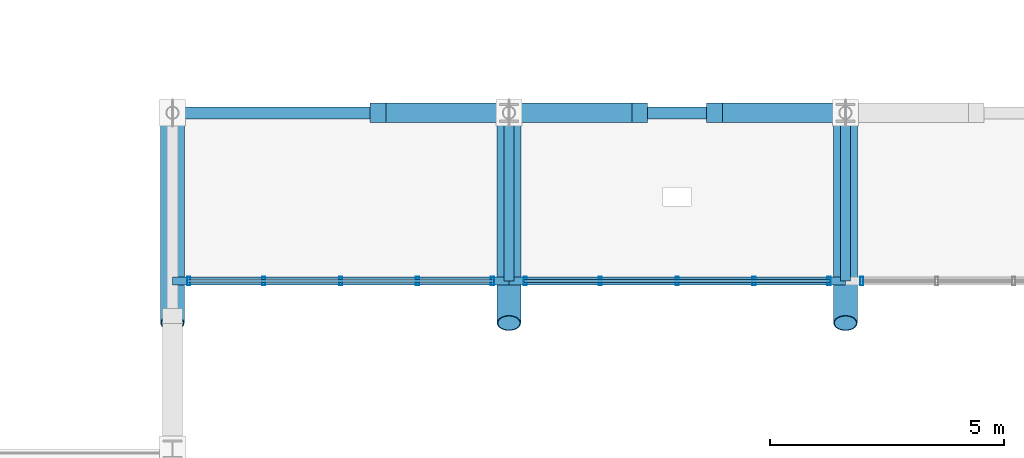
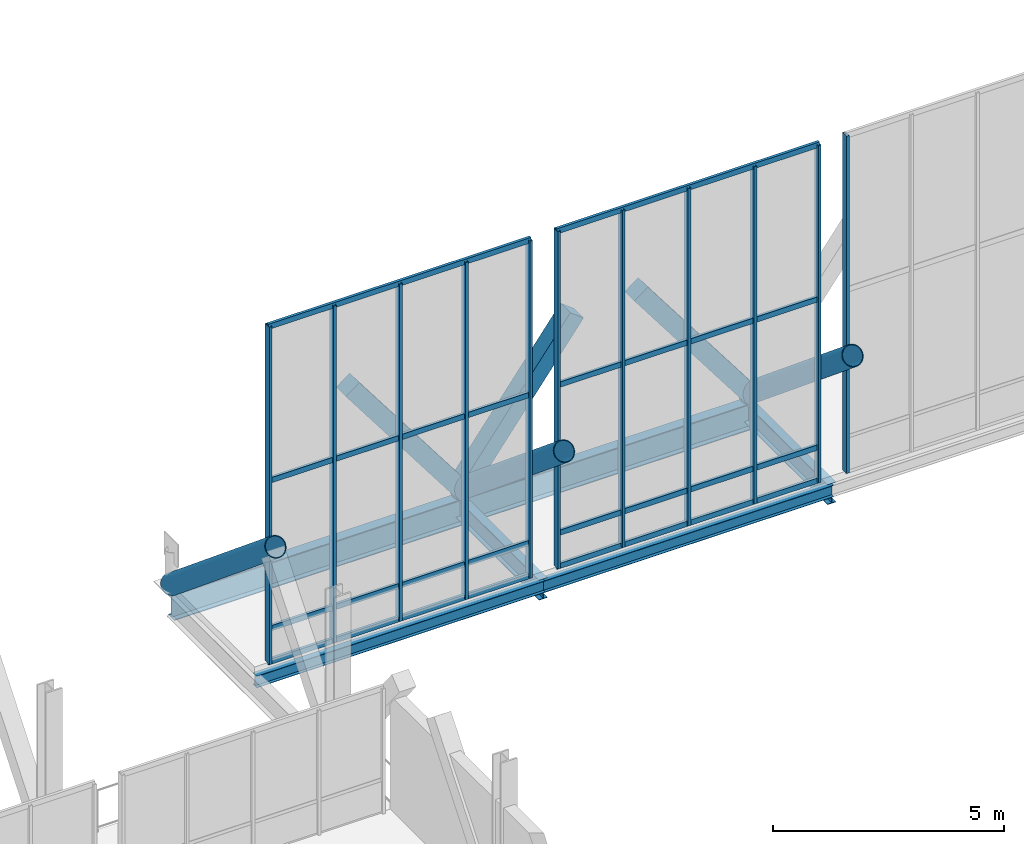
# One storey, part 40 of 102: 25 members, 6 beams, 3 elements without a shape of their own.
"""IFC4 building model written with IfcOpenShell, lengths in metres."""

from ifc_helpers import new_model, si_unit, direction, frame, origin, origin_2d, place, context, subcontext, project, spatial, rectangle, hollow_rectangle, hollow_circle, i_section, extrude, material, material_profile, profile_set, type_object, element, aggregate, save


model = new_model("IFC4")

# Units and contexts
model_context = context("Model", 3, precision=1e-05, world=origin(), true_north=direction((0.0, 1.0)))
body_context = subcontext(model_context, "Body", "Model", "MODEL_VIEW")
ifc_project = project(units=[si_unit("LENGTHUNIT", "METRE"), si_unit("AREAUNIT", "SQUARE_METRE"), si_unit("VOLUMEUNIT", "CUBIC_METRE"), si_unit("PLANEANGLEUNIT", "RADIAN"), si_unit("MASSUNIT", "GRAM", prefix="KILO")], contexts=[model_context])

# Site, building, storey
site_placement = place(None, origin())
site = spatial("IfcSite", under=ifc_project, at=site_placement, CompositionType="ELEMENT")
building_placement = place(site_placement, origin())
building = spatial("IfcBuilding", under=site, at=building_placement, Name="Yarey Park Central Fire Station", CompositionType="ELEMENT")
storey_placement = place(building_placement, frame((0.0, 0.0, 6.0)))
storey = spatial("IfcBuildingStorey", under=building, at=storey_placement, Name="L02", CompositionType="ELEMENT", Elevation=6.0)

# Curtain wall, members
ifc_material_1 = material(Name="Anodized Aluminium Frame", Category="aluminium")
curtain_wall_type = type_object("IfcCurtainWallType", Name="ENV_CW_CLER_9M", PredefinedType="NOTDEFINED", material=ifc_material_1)
curtain_wall_1_placement = place(storey_placement, origin())
curtain_wall_1 = element("IfcCurtainWall", 1, at=curtain_wall_1_placement, inside=storey, type_object=curtain_wall_type, Name="CW_V2_CLER_N_01", PredefinedType="NOTDEFINED")
ifc_material_profile_1 = material_profile(ifc_material_1, hollow_rectangle(XDim=0.070068359375, YDim=0.179931640625, WallThickness=0.00390625, at=origin_2d()), Name="ALU 180x70x4")
ifc_profile_set_1 = profile_set([ifc_material_profile_1], Name="Anodized Aluminium Frame")
member_type_1 = type_object("IfcMemberType", Name="ENV_CW_MULLION", PredefinedType="MULLION", material=ifc_profile_set_1)
member_1_placement = place(storey_placement, frame((64.449951171875, 90.0, 0.0), z_axis=(0.0, 0.0, 1.0), x_axis=(1.0, 0.0, 0.0)))
member_1 = element("IfcMember", 2, at=member_1_placement, type_object=member_type_1, Name="CW_V2_CLER_N_01_MUL1", PredefinedType="MULLION", context=body_context, shape_type="SweptSolid", body=[
    extrude(hollow_rectangle(XDim=0.070068359375, YDim=0.179931640625, WallThickness=0.00390625, at=origin_2d()), origin(), (0.0, 0.0, 1.0), 8.89990234375),
])
member_2_placement = place(storey_placement, frame((62.844970703125, 90.0, 0.0), z_axis=(0.0, 0.0, 1.0), x_axis=(1.0, 0.0, 0.0)))
member_2 = element("IfcMember", 3, at=member_2_placement, type_object=member_type_1, Name="CW_V2_CLER_N_01_MUL2", PredefinedType="MULLION", context=body_context, shape_type="SweptSolid", body=[
    extrude(hollow_rectangle(XDim=0.070068359375, YDim=0.179931640625, WallThickness=0.00390625, at=origin_2d()), origin(), (0.0, 0.0, 1.0), 8.89990234375),
])
member_3_placement = place(storey_placement, frame((61.199951171875, 90.0, 0.0), z_axis=(0.0, 0.0, 1.0), x_axis=(1.0, 0.0, 0.0)))
member_3 = element("IfcMember", 4, at=member_3_placement, type_object=member_type_1, Name="CW_V2_CLER_N_01_MUL3", PredefinedType="MULLION", context=body_context, shape_type="SweptSolid", body=[
    extrude(hollow_rectangle(XDim=0.070068359375, YDim=0.179931640625, WallThickness=0.00390625, at=origin_2d()), origin(), (0.0, 0.0, 1.0), 8.89990234375),
])
member_4_placement = place(storey_placement, frame((59.554931640625, 90.0, 0.0), z_axis=(0.0, 0.0, 1.0), x_axis=(1.0, 0.0, 0.0)))
member_4 = element("IfcMember", 5, at=member_4_placement, type_object=member_type_1, Name="CW_V2_CLER_N_01_MUL4", PredefinedType="MULLION", context=body_context, shape_type="SweptSolid", body=[
    extrude(hollow_rectangle(XDim=0.070068359375, YDim=0.179931640625, WallThickness=0.00390625, at=origin_2d()), origin(), (0.0, 0.0, 1.0), 8.89990234375),
])
member_5_placement = place(storey_placement, frame((57.949951171875, 90.0, 0.0), z_axis=(0.0, 0.0, 1.0), x_axis=(1.0, 0.0, 0.0)))
member_5 = element("IfcMember", 6, at=member_5_placement, type_object=member_type_1, Name="CW_V2_CLER_N_01_MUL5", PredefinedType="MULLION", context=body_context, shape_type="SweptSolid", body=[
    extrude(hollow_rectangle(XDim=0.070068359375, YDim=0.179931640625, WallThickness=0.00390625, at=origin_2d()), origin(), (0.0, 0.0, 1.0), 8.89990234375),
])

curtain_wall_2_placement = place(storey_placement, origin())
curtain_wall_2 = element("IfcCurtainWall", 7, at=curtain_wall_2_placement, inside=storey, type_object=curtain_wall_type, Name="CW_V2_CLER_N_02", PredefinedType="NOTDEFINED")
member_6_placement = place(storey_placement, frame((71.64990234375, 90.0, 0.0), z_axis=(0.0, 0.0, 1.0), x_axis=(1.0, 0.0, 0.0)))
member_6 = element("IfcMember", 8, at=member_6_placement, type_object=member_type_1, Name="CW_V2_CLER_N_02_MUL1", PredefinedType="MULLION", context=body_context, shape_type="SweptSolid", body=[
    extrude(hollow_rectangle(XDim=0.070068359375, YDim=0.179931640625, WallThickness=0.00390625, at=origin_2d()), origin(), (0.0, 0.0, 1.0), 8.89990234375),
])
member_7_placement = place(storey_placement, frame((70.044921875, 90.0, 0.0), z_axis=(0.0, 0.0, 1.0), x_axis=(1.0, 0.0, 0.0)))
member_7 = element("IfcMember", 9, at=member_7_placement, type_object=member_type_1, Name="CW_V2_CLER_N_02_MUL2", PredefinedType="MULLION", context=body_context, shape_type="SweptSolid", body=[
    extrude(hollow_rectangle(XDim=0.070068359375, YDim=0.179931640625, WallThickness=0.00390625, at=origin_2d()), origin(), (0.0, 0.0, 1.0), 8.89990234375),
])
member_8_placement = place(storey_placement, frame((68.39990234375, 90.0, 0.0), z_axis=(0.0, 0.0, 1.0), x_axis=(1.0, 0.0, 0.0)))
member_8 = element("IfcMember", 10, at=member_8_placement, type_object=member_type_1, Name="CW_V2_CLER_N_02_MUL3", PredefinedType="MULLION", context=body_context, shape_type="SweptSolid", body=[
    extrude(hollow_rectangle(XDim=0.070068359375, YDim=0.179931640625, WallThickness=0.00390625, at=origin_2d()), origin(), (0.0, 0.0, 1.0), 8.89990234375),
])
member_9_placement = place(storey_placement, frame((66.7548828125, 90.0, 0.0), z_axis=(0.0, 0.0, 1.0), x_axis=(1.0, 0.0, 0.0)))
member_9 = element("IfcMember", 11, at=member_9_placement, type_object=member_type_1, Name="CW_V2_CLER_N_02_MUL4", PredefinedType="MULLION", context=body_context, shape_type="SweptSolid", body=[
    extrude(hollow_rectangle(XDim=0.070068359375, YDim=0.179931640625, WallThickness=0.00390625, at=origin_2d()), origin(), (0.0, 0.0, 1.0), 8.89990234375),
])
member_10_placement = place(storey_placement, frame((65.14990234375, 90.0, 0.0), z_axis=(0.0, 0.0, 1.0), x_axis=(1.0, 0.0, 0.0)))
member_10 = element("IfcMember", 12, at=member_10_placement, type_object=member_type_1, Name="CW_V2_CLER_N_02_MUL5", PredefinedType="MULLION", context=body_context, shape_type="SweptSolid", body=[
    extrude(hollow_rectangle(XDim=0.070068359375, YDim=0.179931640625, WallThickness=0.00390625, at=origin_2d()), origin(), (0.0, 0.0, 1.0), 8.89990234375),
])

# Curtain wall, member
curtain_wall_3_placement = place(storey_placement, origin())
curtain_wall_3 = element("IfcCurtainWall", 13, at=curtain_wall_3_placement, inside=storey, type_object=curtain_wall_type, Name="CW_V2_CLER_N_03", PredefinedType="NOTDEFINED")
member_11_placement = place(storey_placement, frame((72.35009765625, 90.0, 0.0), z_axis=(0.0, 0.0, 1.0), x_axis=(1.0, 0.0, 0.0)))
member_11 = element("IfcMember", 14, at=member_11_placement, type_object=member_type_1, Name="CW_V2_CLER_N_03_MUL5", PredefinedType="MULLION", context=body_context, shape_type="SweptSolid", body=[
    extrude(hollow_rectangle(XDim=0.070068359375, YDim=0.179931640625, WallThickness=0.00390625, at=origin_2d()), origin(), (0.0, 0.0, 1.0), 8.89990234375),
])
aggregate(curtain_wall_3, [member_11])

# Member
ifc_material_profile_2 = material_profile(ifc_material_1, hollow_rectangle(XDim=0.070068359375, YDim=0.139892578125, WallThickness=0.00390625, at=origin_2d()), Name="ALU 140x70x4")
ifc_profile_set_2 = profile_set([ifc_material_profile_2], Name="Anodized Aluminium Frame")
member_type_2 = type_object("IfcMemberType", Name="ENV_CW_TRANSOM", PredefinedType="USERDEFINED", material=ifc_profile_set_2)
member_12_placement = place(storey_placement, frame((64.47509765625, 90.0, 0.02490234375), z_axis=(-1.0, 0.0, 0.0), x_axis=(0.0, -1.0, 0.0)))
member_12 = element("IfcMember", 15, at=member_12_placement, type_object=member_type_2, Name="CW_V2_CLER_N_01_TRN1", ObjectType="TRANSOM", PredefinedType="USERDEFINED", context=body_context, shape_type="SweptSolid", body=[
    extrude(hollow_rectangle(XDim=0.070068359375, YDim=0.139892578125, WallThickness=0.00390625, at=origin_2d()), origin(), (0.0, 0.0, 1.0), 6.550048828125),
])

member_13_placement = place(storey_placement, frame((64.47509765625, 90.0, 0.89990234375), z_axis=(-1.0, 0.0, 0.0), x_axis=(0.0, -1.0, 0.0)))
member_13 = element("IfcMember", 16, at=member_13_placement, type_object=member_type_2, Name="CW_V2_CLER_N_01_TRN2", ObjectType="TRANSOM", PredefinedType="USERDEFINED", context=body_context, shape_type="SweptSolid", body=[
    extrude(hollow_rectangle(XDim=0.070068359375, YDim=0.139892578125, WallThickness=0.00390625, at=origin_2d()), origin(), (0.0, 0.0, 1.0), 6.550048828125),
])

member_14_placement = place(storey_placement, frame((64.47509765625, 90.0, 4.805908203125), z_axis=(-1.0, 0.0, 0.0), x_axis=(0.0, -1.0, 0.0)))
member_14 = element("IfcMember", 17, at=member_14_placement, type_object=member_type_2, Name="CW_V2_CLER_N_01_TRN3", ObjectType="TRANSOM", PredefinedType="USERDEFINED", context=body_context, shape_type="SweptSolid", body=[
    extrude(hollow_rectangle(XDim=0.070068359375, YDim=0.139892578125, WallThickness=0.00390625, at=origin_2d()), origin(), (0.0, 0.0, 1.0), 6.550048828125),
])

member_15_placement = place(storey_placement, frame((64.47509765625, 90.0, 8.875), z_axis=(-1.0, 0.0, 0.0), x_axis=(0.0, -1.0, 0.0)))
member_15 = element("IfcMember", 18, at=member_15_placement, type_object=member_type_2, Name="CW_V2_CLER_N_01_TRN4", ObjectType="TRANSOM", PredefinedType="USERDEFINED", context=body_context, shape_type="SweptSolid", body=[
    extrude(hollow_rectangle(XDim=0.070068359375, YDim=0.139892578125, WallThickness=0.00390625, at=origin_2d()), origin(), (0.0, 0.0, 1.0), 6.550048828125),
])

aggregate(curtain_wall_1, [member_1, member_2, member_3, member_4, member_5, member_12, member_13, member_14, member_15])

member_16_placement = place(storey_placement, frame((71.675048828125, 90.0, 0.02490234375), z_axis=(-1.0, 0.0, 0.0), x_axis=(0.0, -1.0, 0.0)))
member_16 = element("IfcMember", 19, at=member_16_placement, type_object=member_type_2, Name="CW_V2_CLER_N_02_TRN1", ObjectType="TRANSOM", PredefinedType="USERDEFINED", context=body_context, shape_type="SweptSolid", body=[
    extrude(hollow_rectangle(XDim=0.070068359375, YDim=0.139892578125, WallThickness=0.00390625, at=origin_2d()), origin(), (0.0, 0.0, 1.0), 6.550048828125),
])

member_17_placement = place(storey_placement, frame((71.675048828125, 90.0, 0.89990234375), z_axis=(-1.0, 0.0, 0.0), x_axis=(0.0, -1.0, 0.0)))
member_17 = element("IfcMember", 20, at=member_17_placement, type_object=member_type_2, Name="CW_V2_CLER_N_02_TRN2", ObjectType="TRANSOM", PredefinedType="USERDEFINED", context=body_context, shape_type="SweptSolid", body=[
    extrude(hollow_rectangle(XDim=0.070068359375, YDim=0.139892578125, WallThickness=0.00390625, at=origin_2d()), origin(), (0.0, 0.0, 1.0), 6.550048828125),
])

member_18_placement = place(storey_placement, frame((71.675048828125, 90.0, 4.805908203125), z_axis=(-1.0, 0.0, 0.0), x_axis=(0.0, -1.0, 0.0)))
member_18 = element("IfcMember", 21, at=member_18_placement, type_object=member_type_2, Name="CW_V2_CLER_N_02_TRN3", ObjectType="TRANSOM", PredefinedType="USERDEFINED", context=body_context, shape_type="SweptSolid", body=[
    extrude(hollow_rectangle(XDim=0.070068359375, YDim=0.139892578125, WallThickness=0.00390625, at=origin_2d()), origin(), (0.0, 0.0, 1.0), 6.550048828125),
])

member_19_placement = place(storey_placement, frame((71.675048828125, 90.0, 8.875), z_axis=(-1.0, 0.0, 0.0), x_axis=(0.0, -1.0, 0.0)))
member_19 = element("IfcMember", 22, at=member_19_placement, type_object=member_type_2, Name="CW_V2_CLER_N_02_TRN4", ObjectType="TRANSOM", PredefinedType="USERDEFINED", context=body_context, shape_type="SweptSolid", body=[
    extrude(hollow_rectangle(XDim=0.070068359375, YDim=0.139892578125, WallThickness=0.00390625, at=origin_2d()), origin(), (0.0, 0.0, 1.0), 6.550048828125),
])

aggregate(curtain_wall_2, [member_6, member_7, member_8, member_9, member_10, member_16, member_17, member_18, member_19])

# Beams
ifc_material_2 = material(Name="Steel ASTM A992 Gr. 50", Category="steel")
ifc_material_profile_3 = material_profile(ifc_material_2, i_section(OverallWidth=0.208984375, OverallDepth=0.532958984375, WebThickness=0.01025390625, FlangeThickness=0.015625, at=origin_2d()), Name="W530x92")
ifc_profile_set_3 = profile_set([ifc_material_profile_3], Name="Steel ASTM A992 Gr. 50")
beam_type_1 = type_object("IfcBeamType", Name="STR_BM_W530", PredefinedType="BEAM", material=ifc_profile_set_3)
for number, where, z_axis, x_axis, name in (
    (23, (64.800048828125, 90.0, -0.46142578125), (0.0, 1.0, 0.0), (-1.0, 0.0, 0.0), "EAVE RIB N 01"),
    (24, (72.0, 90.0, -0.46142578125), (0.0, 1.0, 0.0), (-1.0, 0.0, 0.0), "EAVE RIB N 02"),
):
    element("IfcBeam", number, at=place(storey_placement, frame(where, z_axis=z_axis, x_axis=x_axis)), inside=storey, type_object=beam_type_1, Name=name, PredefinedType="BEAM", context=body_context, shape_type="SweptSolid", body=[
        extrude(i_section(OverallWidth=0.208984375, OverallDepth=0.532958984375, WebThickness=0.01025390625, FlangeThickness=0.015625, at=origin_2d()), origin(), (0.0, 0.0, 1.0), 3.60009765625),
    ])
ifc_material_profile_4 = material_profile(ifc_material_2, i_section(OverallWidth=0.256103515625, OverallDepth=0.693115234375, WebThickness=0.014404296875, FlangeThickness=0.023681640625, at=origin_2d()), Name="W690x170")
ifc_profile_set_4 = profile_set([ifc_material_profile_4], Name="Steel ASTM A992 Gr. 50")
beam_type_2 = type_object("IfcBeamType", Name="STR_BM_W690", PredefinedType="BEAM", material=ifc_profile_set_4)
for number, where, z_axis, x_axis, name in (
    (25, (57.60009765625, 93.60009765625, -0.54150390625), (1.0, 0.0, 0.0), (0.0, 1.0, 0.0), "BMX L02 Y936 X576"),
    (26, (64.800048828125, 93.60009765625, -0.54150390625), (1.0, 0.0, 0.0), (0.0, 1.0, 0.0), "BMX L02 Y936 X648"),
):
    element("IfcBeam", number, at=place(storey_placement, frame(where, z_axis=z_axis, x_axis=x_axis)), inside=storey, type_object=beam_type_2, Name=name, PredefinedType="BEAM", context=body_context, shape_type="SweptSolid", body=[
        extrude(i_section(OverallWidth=0.256103515625, OverallDepth=0.693115234375, WebThickness=0.014404296875, FlangeThickness=0.023681640625, at=origin_2d()), origin(), (0.0, 0.0, 1.0), 7.199951171875),
    ])

# Members
ifc_material_3 = material(Name="Steel ASTM A500 Gr. C", Category="steel")
ifc_material_profile_5 = material_profile(ifc_material_3, hollow_circle(Radius=0.25390625, WallThickness=0.02001953125, at=origin_2d()), Name="CHS 508x20")
ifc_profile_set_5 = profile_set([ifc_material_profile_5], Name="Steel ASTM A500 Gr. C")
member_type_3 = type_object("IfcMemberType", Name="STR_CHORD_CHS508", PredefinedType="CHORD", material=ifc_profile_set_5)
for number, where, z_axis, x_axis, name in (
    (27, (57.60009765625, 89.10009765625, 3.71875), (0.0, 0.770847459396, -0.637019775473), (-1.0, 0.0, 0.0), "Arched Roof Truss ART_01 Bottom Chord 8"),
    (28, (64.800048828125, 89.10009765625, 3.71875), (0.0, 0.770847459396, -0.637019775473), (-1.0, 0.0, 0.0), "Arched Roof Truss ART_02 Bottom Chord 8"),
    (29, (72.0, 89.10009765625, 3.71875), (0.0, 0.770847459396, -0.637019775473), (-1.0, 0.0, 0.0), "Arched Roof Truss ART_03 Bottom Chord 8"),
):
    element("IfcMember", number, at=place(storey_placement, frame(where, z_axis=z_axis, x_axis=x_axis)), inside=storey, type_object=member_type_3, Name=name, PredefinedType="CHORD", context=body_context, shape_type="SweptSolid", body=[
        extrude(hollow_circle(Radius=0.25390625, WallThickness=0.02001953125, at=origin_2d()), origin(), (0.0, 0.0, 1.0), 5.837646484375),
    ])

# Beams
ifc_material_profile_6 = material_profile(ifc_material_2, i_section(OverallWidth=0.1650390625, OverallDepth=0.31005859375, WebThickness=0.005859375, FlangeThickness=0.009765625, at=origin_2d()), Name="W310x39")
ifc_profile_set_6 = profile_set([ifc_material_profile_6], Name="Steel ASTM A992 Gr. 50")
beam_type_3 = type_object("IfcBeamType", Name="STR_SPN_W310", PredefinedType="SPANDREL", material=ifc_profile_set_6)
for number, where, z_axis, x_axis, name in (
    (30, (57.60009765625, 90.0, -0.35009765625), (1.0, 0.0, 0.0), (0.0, 1.0, 0.0), "EAVE EDG N 00"),
    (31, (64.800048828125, 90.0, -0.35009765625), (1.0, 0.0, 0.0), (0.0, 1.0, 0.0), "EAVE EDG N 01"),
):
    element("IfcBeam", number, at=place(storey_placement, frame(where, z_axis=z_axis, x_axis=x_axis)), inside=storey, type_object=beam_type_3, Name=name, PredefinedType="SPANDREL", context=body_context, shape_type="SweptSolid", body=[
        extrude(i_section(OverallWidth=0.1650390625, OverallDepth=0.31005859375, WebThickness=0.005859375, FlangeThickness=0.009765625, at=origin_2d()), origin(), (0.0, 0.0, 1.0), 7.199951171875),
    ])

# Members
ifc_material_4 = material(Name="Glulam GL28h", Category="wood")
ifc_material_profile_7 = material_profile(ifc_material_4, rectangle(XDim=0.419921875, YDim=0.419921875, at=origin_2d()), Name="GL 420x420")
ifc_profile_set_7 = profile_set([ifc_material_profile_7], Name="Glulam GL28h")
member_type_4 = type_object("IfcMemberType", Name="STR_STRUT_GL420", PredefinedType="STRUT", material=ifc_profile_set_7)
for number, where, z_axis, x_axis, name in (
    (32, (64.800048828125, 93.60009765625, 0.02001953125), (0.603454425048, 0.0, 0.797397489895), (0.0, 1.0, 0.0), "Raked Glulam Strut RGS-027"),
    (33, (64.800048828125, 93.60009765625, 0.02001953125), (-0.603454425048, 0.0, 0.797397489895), (0.0, -1.0, 0.0), "Raked Glulam Strut RGS-028"),
    (34, (72.0, 93.60009765625, 0.02001953125), (-0.603454425048, 0.0, 0.797397489895), (0.0, -1.0, 0.0), "Raked Glulam Strut RGS-032"),
):
    element("IfcMember", number, at=place(storey_placement, frame(where, z_axis=z_axis, x_axis=x_axis)), inside=storey, type_object=member_type_4, Name=name, PredefinedType="STRUT", context=body_context, shape_type="SweptSolid", body=[
        extrude(rectangle(XDim=0.419921875, YDim=0.419921875, at=origin_2d()), origin(), (0.0, 0.0, 1.0), 4.64013671875),
    ])

save(model, "model.ifc")
